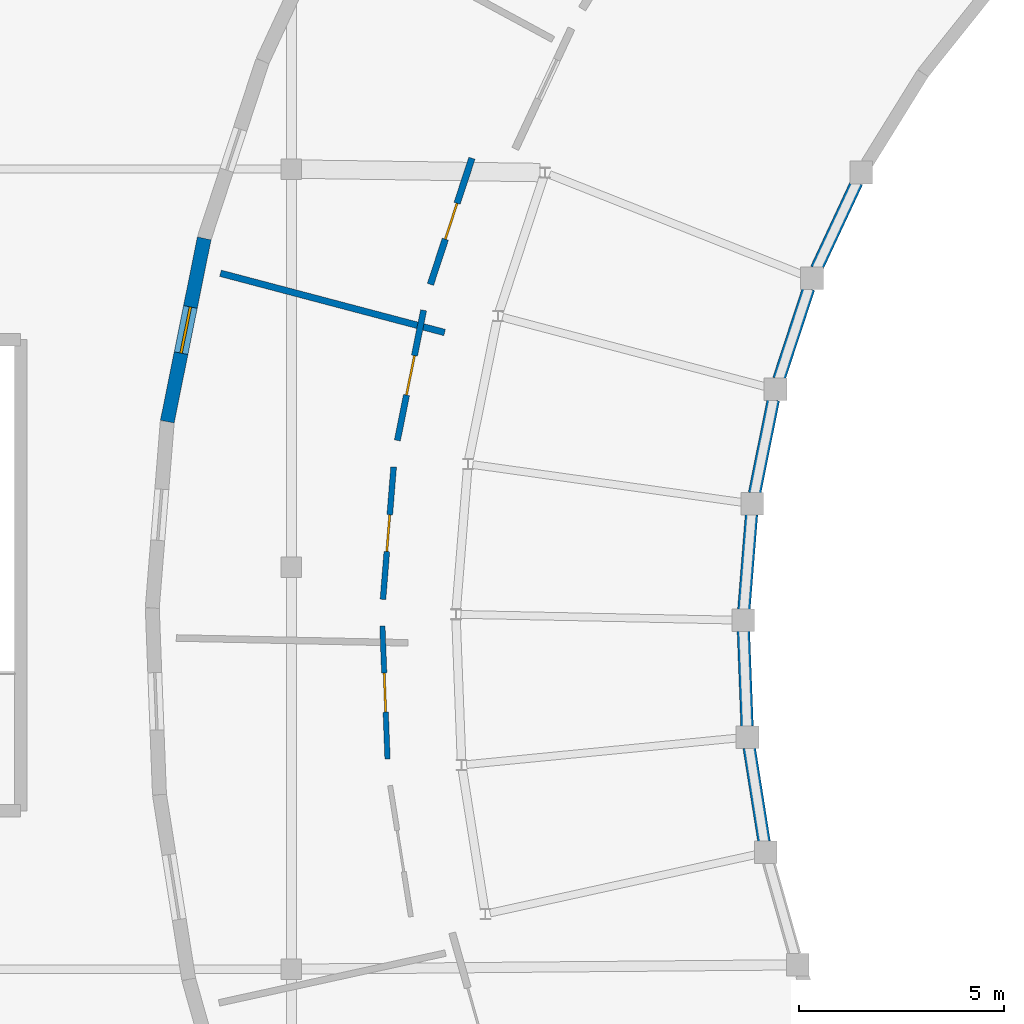
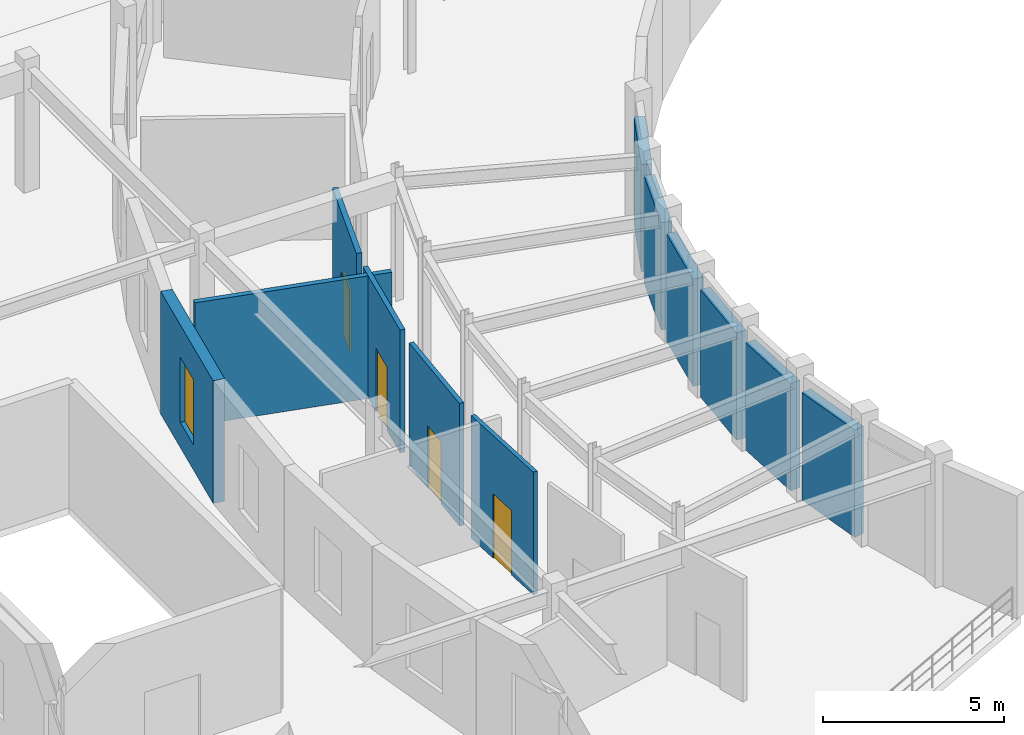
# One storey, part 39 of 60: 12 walls, 4 doors, 1 window, 5 openings.
"""IFC4 building model written with IfcOpenShell, lengths in metres."""

import ifcopenshell
import ifcopenshell.guid

model = None  # the IFC model being written
_history = None  # IfcOwnerHistory: only IFC2X3 demands one
_inside = {}  # id of a spatial element -> (the spatial element, [elements in it])
_under = {}  # id of a project, library or spatial element -> (it, [spatial elements below it])
_declared = {}  # id of a project -> (the project, [libraries it declares])
_typed = {}  # id of a type object -> (the type object, [elements of that type])
_made_of = {}  # id of a material, layer set ... -> (it, [elements and type objects made of it])


def new_model(schema):
    """Start an empty IFC model of exactly this schema.

    Asked for "IFC4X3", IfcOpenShell would pick the latest addendum, in which some entities
    have other attributes; the version numbers below select the first issue.
    IFC2X3 requires an IfcOwnerHistory on every rooted entity: one is made here for all.
    """
    global model, _history
    if schema == "IFC4X3":
        model = ifcopenshell.file(schema_version=(4, 3, 0, 0))
    else:
        model = ifcopenshell.file(schema=schema)
    _inside.clear()
    _under.clear()
    _declared.clear()
    _typed.clear()
    _made_of.clear()
    _history = None
    if model.schema == "IFC2X3":
        org = make("IfcOrganization", Name="unknown")
        user = make(
            "IfcPersonAndOrganization",
            ThePerson=make("IfcPerson", FamilyName="unknown"),
            TheOrganization=org,
        )
        app = make(
            "IfcApplication",
            ApplicationDeveloper=org,
            Version="unknown",
            ApplicationFullName="unknown",
            ApplicationIdentifier="unknown",
        )
        _history = make(
            "IfcOwnerHistory",
            OwningUser=user,
            OwningApplication=app,
            ChangeAction="ADDED",
            CreationDate=0,
        )
    return model


def make(cls, **values):
    """One entity of the class cls with the attributes given. An attribute that is None is left unset."""
    return model.create_entity(
        cls, **{name: value for name, value in values.items() if value is not None}
    )


def rooted(cls, **values):
    """An entity with a GlobalId (a new one), such as an element, a storey or a relation."""
    return make(cls, GlobalId=ifcopenshell.guid.new(), OwnerHistory=_history, **values)


def si_unit(unit_type, name, prefix=None):
    """IfcSIUnit, for example si_unit("LENGTHUNIT", "METRE", prefix="MILLI")."""
    return make("IfcSIUnit", UnitType=unit_type, Prefix=prefix, Name=name)


def assignment(units):
    """IfcUnitAssignment: the units of a project."""
    return None if units is None else make("IfcUnitAssignment", Units=units)


def point(xyz):
    """IfcCartesianPoint."""
    return None if xyz is None else make("IfcCartesianPoint", Coordinates=xyz)


def direction(xyz):
    """IfcDirection."""
    return None if xyz is None else make("IfcDirection", DirectionRatios=xyz)


def frame(location, z_axis=None, x_axis=None):
    """IfcAxis2Placement3D, a coordinate frame: its origin and axes. An axis left out is left unset."""
    return make(
        "IfcAxis2Placement3D",
        Location=point(location),
        Axis=direction(z_axis),
        RefDirection=direction(x_axis),
    )


def frame_2d(location, x_axis=None):
    """IfcAxis2Placement2D, a coordinate frame in the plane: its origin and x axis."""
    return make(
        "IfcAxis2Placement2D", Location=point(location), RefDirection=direction(x_axis)
    )


def origin():
    """The frame at (0, 0, 0) with its axes left unset."""
    return frame((0.0, 0.0, 0.0))


def place(relative_to, where):
    """IfcLocalPlacement: puts the frame where relative to a parent placement (None: the world)."""
    return make(
        "IfcLocalPlacement", PlacementRelTo=relative_to, RelativePlacement=where
    )


def context(
    kind, dimensions, precision=None, world=None, true_north=None, identifier=None
):
    """IfcGeometricRepresentationContext, for example the 3D "Model" context."""
    return make(
        "IfcGeometricRepresentationContext",
        ContextIdentifier=identifier,
        ContextType=kind,
        CoordinateSpaceDimension=dimensions,
        Precision=precision,
        WorldCoordinateSystem=world,
        TrueNorth=true_north,
    )


def subcontext(parent, identifier, kind, view, scale=None):
    """IfcGeometricRepresentationSubContext, for example "Body" below "Model"."""
    return make(
        "IfcGeometricRepresentationSubContext",
        ContextIdentifier=identifier,
        ContextType=kind,
        ParentContext=parent,
        TargetScale=scale,
        TargetView=view,
    )


def project(units=None, contexts=None):
    """IfcProject with its units and contexts."""
    return rooted(
        "IfcProject",
        Name="project",
        RepresentationContexts=contexts,
        UnitsInContext=assignment(units),
    )


def spatial(cls, under=None, at=None, **own):
    """A site, building, storey or space (cls), placed at a placement, below another one or the project."""
    s = rooted(cls, ObjectPlacement=at, **own)
    if under is not None:
        _under.setdefault(under.id(), (under, []))[1].append(s)
    return s


def profile(cls, at=None, kind="AREA", **sizes):
    """A parametric profile (cls). Its sizes go by their IFC names, for example OverallWidth=200.0."""
    return make(cls, ProfileType=kind, Position=at, **sizes)


def rectangle(**sizes):
    """IfcRectangleProfileDef."""
    return profile("IfcRectangleProfileDef", **sizes)


def extrude(swept, where, along, depth):
    """IfcExtrudedAreaSolid: the profile swept, set in the frame where, extruded along a direction by depth."""
    return make(
        "IfcExtrudedAreaSolid",
        SweptArea=swept,
        Position=where,
        ExtrudedDirection=direction(along),
        Depth=depth,
    )


def shape(context_of_items, identifier, shape_type, items):
    """IfcShapeRepresentation: the items that make up one representation, for example the "Body"."""
    return make(
        "IfcShapeRepresentation",
        ContextOfItems=context_of_items,
        RepresentationIdentifier=identifier,
        RepresentationType=shape_type,
        Items=items,
    )


def material(Name=None, Category=None):
    """IfcMaterial."""
    return make("IfcMaterial", Name=Name, Category=Category)


def layer(
    of_material, thickness, ventilated=None, Name=None, Category=None, Priority=None
):
    """IfcMaterialLayer: one layer of a wall or slab, of a material (None: an air gap)."""
    return make(
        "IfcMaterialLayer",
        Material=of_material,
        LayerThickness=thickness,
        IsVentilated=ventilated,
        Name=Name,
        Category=Category,
        Priority=Priority,
    )


def layer_set(layers, Name=None):
    """IfcMaterialLayerSet."""
    return make("IfcMaterialLayerSet", MaterialLayers=layers, LayerSetName=Name)


def made_of(thing, what):
    """Note that an element or type object is made of a material, layer set ...; save() writes the relation."""
    if what is not None:
        _made_of.setdefault(what.id(), (what, []))[1].append(thing)
    return thing


def type_object(cls, material=None, **own):
    """A type object (cls), such as IfcWallType, which elements share."""
    return made_of(rooted(cls, **own), material)


def element(
    cls,
    number,
    at=None,
    inside=None,
    cuts=None,
    type_object=None,
    material=None,
    context=None,
    identifier="Body",
    shape_type=None,
    held_by="IfcProductDefinitionShape",
    body=None,
    shapes=None,
    **own,
):
    """One element of the class cls, such as IfcWall. Its Tag is "e" and its number.

    at: its placement. inside: the storey or other place that contains it. cuts: it is an
    opening in that element (IfcRelVoidsElement). A single representation is given by context,
    identifier, shape_type and body (its items); several are given by shapes. held_by: the class
    of the entity that holds the representations. save() writes the other relations.
    """
    e = rooted(cls, Tag="e%d" % number, ObjectPlacement=at, **own)
    if body is not None:
        shapes = [shape(context, identifier, shape_type, body)]
    if shapes is not None:
        e.Representation = make(held_by, Representations=shapes)
    if inside is not None:
        _inside.setdefault(inside.id(), (inside, []))[1].append(e)
    if cuts is not None:
        rooted(
            "IfcRelVoidsElement", RelatingBuildingElement=cuts, RelatedOpeningElement=e
        )
    if type_object is not None:
        _typed.setdefault(type_object.id(), (type_object, []))[1].append(e)
    return made_of(e, material)


def fill(opening, filler):
    """IfcRelFillsElement: the door or window that sits in an opening."""
    return rooted(
        "IfcRelFillsElement",
        RelatingOpeningElement=opening,
        RelatedBuildingElement=filler,
    )


def aggregate(whole, parts):
    """IfcRelAggregates: a whole, such as a stair, and the parts it consists of."""
    return rooted("IfcRelAggregates", RelatingObject=whole, RelatedObjects=parts)


def save(model, path):
    """Write the relations noted so far, then the file.

    IfcRelAggregates (storeys below a building ...), IfcRelContainedInSpatialStructure (elements
    in a storey), IfcRelDefinesByType, IfcRelAssociatesMaterial and IfcRelDeclares: one each for
    every whole, place, type object, material and project.
    """
    for whole, parts in _under.values():
        aggregate(whole, parts)
    for where, things in _inside.values():
        rooted(
            "IfcRelContainedInSpatialStructure",
            RelatedElements=things,
            RelatingStructure=where,
        )
    for kind, things in _typed.values():
        rooted("IfcRelDefinesByType", RelatedObjects=things, RelatingType=kind)
    for what, things in _made_of.values():
        rooted("IfcRelAssociatesMaterial", RelatedObjects=things, RelatingMaterial=what)
    for by, libraries in _declared.values():
        rooted("IfcRelDeclares", RelatingContext=by, RelatedDefinitions=libraries)
    model.write(path)


model = new_model("IFC4")

# Units and contexts
model_context = context("Model", 3, precision=1e-05, world=origin(), true_north=direction((0.0, 1.0)))
body_context = subcontext(model_context, "Body", "Model", "MODEL_VIEW")
ifc_project = project(units=[si_unit("LENGTHUNIT", "METRE"), si_unit("AREAUNIT", "SQUARE_METRE"), si_unit("VOLUMEUNIT", "CUBIC_METRE"), si_unit("PLANEANGLEUNIT", "RADIAN"), si_unit("MASSUNIT", "GRAM", prefix="KILO")], contexts=[model_context])

# Site, building, storey
site_placement = place(None, origin())
site = spatial("IfcSite", under=ifc_project, at=site_placement, CompositionType="ELEMENT")
building_placement = place(site_placement, origin())
building = spatial("IfcBuilding", under=site, at=building_placement, Name="Cinderbank Siding Concert Hall", CompositionType="ELEMENT")
storey_placement = place(building_placement, frame((0.0, 0.0, 14.699951171875)))
storey = spatial("IfcBuildingStorey", under=building, at=storey_placement, Name="L04", CompositionType="ELEMENT", Elevation=14.699951171875)

# Wall, opening, window
ifc_material_1 = material(Name="Clinker clay brickwork masonry AS 3700 (20 MPa)", Category="masonry")
ifc_layer_1 = layer(ifc_material_1, 0.340087890625)
ifc_layer_set_1 = layer_set([ifc_layer_1], Name="Clinker clay brickwork masonry AS 3700 (20 MPa)")
wall_type_1 = type_object("IfcWallType", Name="WL-07 Exterior Wall 340mm", PredefinedType="STANDARD", material=ifc_layer_set_1)
wall_1_placement = place(storey_placement, frame((18.8740234375, 77.80908203125, 0.0), z_axis=(0.0, 0.0, 1.0), x_axis=(-0.197682700785, -0.980266060726, 0.0)))
wall_1 = element("IfcWall", 1, at=wall_1_placement, inside=storey, type_object=wall_type_1, Name="L04 Facade Wall EW-WOUT-L04-10", PredefinedType="STANDARD", context=body_context, shape_type="SweptSolid", body=[
    extrude(rectangle(XDim=4.5546875, YDim=0.340087890625, at=frame_2d((2.27734375, 0.0))), origin(), (0.0, 0.0, 1.0), 4.14501953125),
])
opening_1_placement = place(wall_1_placement, frame((1.702392578125, 0.0, 0.85009765625)))
opening_1 = element("IfcOpeningElement", 2, at=opening_1_placement, cuts=wall_1, Name="Opening WN-04", PredefinedType="OPENING", context=body_context, shape_type="SweptSolid", body=[
    extrude(rectangle(XDim=1.14990234375, YDim=2.199951171875, at=frame_2d((0.574951171875, 1.10009765625))), frame((0.0, 0.18212890625, 0.0), z_axis=(0.0, -1.0, 0.0), x_axis=(1.0, 0.0, 0.0)), (0.0, 0.0, 1.0), 0.364013671875),
])
ifc_material_2 = material(Name="Double-glazed laminated acoustic glass", Category="glass")
window_type = type_object("IfcWindowType", Name="WN-04 Acoustic Casement Window 1150x2200", PartitioningType="DOUBLE_PANEL_VERTICAL", PredefinedType="WINDOW", material=ifc_material_2)
window_placement = place(opening_1_placement, origin())
window = element("IfcWindow", 3, at=window_placement, inside=storey, type_object=window_type, Name="L04 Facade Window #50", OverallHeight=2.199951171875, OverallWidth=1.14990234375, PartitioningType="DOUBLE_PANEL_VERTICAL", PredefinedType="WINDOW", context=body_context, shape_type="SweptSolid", body=[
    extrude(rectangle(XDim=1.14990234375, YDim=2.199951171875, at=frame_2d((0.574951171875, 1.10009765625))), frame((0.0, 0.030029296875, 0.0), z_axis=(0.0, -1.0, 0.0), x_axis=(1.0, 0.0, 0.0)), (0.0, 0.0, 1.0), 0.06005859375),
])
fill(opening_1, window)

# Walls
ifc_layer_2 = layer(ifc_material_1, 0.31005859375)
ifc_layer_set_2 = layer_set([ifc_layer_2], Name="Clinker clay brickwork masonry AS 3700 (20 MPa)")
wall_type_2 = type_object("IfcWallType", Name="WL-08 Exterior Wall 310mm", PredefinedType="STANDARD", material=ifc_layer_set_2)
wall_2_placement = place(storey_placement, frame((34.778564453125, 79.179443359375, 0.0), z_axis=(0.0, 0.0, 1.0), x_axis=(-0.422535043773, -0.906346587561, 0.0)))
element("IfcWall", 4, at=wall_2_placement, inside=storey, type_object=wall_type_2, Name="L04 Facade Wall EW-WIN-L04-08", PredefinedType="STANDARD", context=body_context, shape_type="SweptSolid", body=[
    extrude(rectangle(XDim=2.326904296875, YDim=0.31005859375, at=frame_2d((1.16357421875, 0.0))), origin(), (0.0, 0.0, 1.0), 3.626953125),
])
wall_3_placement = place(storey_placement, frame((33.604248046875, 76.587890625, 0.0), z_axis=(0.0, 0.0, 1.0), x_axis=(-0.312384638045, -0.949955703132, 0.0)))
element("IfcWall", 5, at=wall_3_placement, inside=storey, type_object=wall_type_2, Name="L04 Facade Wall EW-WIN-L04-09", PredefinedType="STANDARD", context=body_context, shape_type="SweptSolid", body=[
    extrude(rectangle(XDim=2.32666015625, YDim=0.31005859375, at=frame_2d((1.163330078125, 0.0))), origin(), (0.0, 0.0, 1.0), 3.626953125),
])
wall_4_placement = place(storey_placement, frame((32.744873046875, 73.875732421875, 0.0), z_axis=(0.0, 0.0, 1.0), x_axis=(-0.197710182679, -0.980260518263, 0.0)))
element("IfcWall", 6, at=wall_4_placement, inside=storey, type_object=wall_type_2, Name="L04 Facade Wall EW-WIN-L04-10", PredefinedType="STANDARD", context=body_context, shape_type="SweptSolid", body=[
    extrude(rectangle(XDim=2.326416015625, YDim=0.31005859375, at=frame_2d((1.1630859375, 0.0))), origin(), (0.0, 0.0, 1.0), 3.626953125),
])
for number, where, z_axis, x_axis, name in (
    (7, (32.212646484375, 71.0810546875, 0.0), (0.0, 0.0, 1.0), (-0.080162243933, -0.996781829012, 0.0), "L04 Facade Wall EW-WIN-L04-11"),
    (8, (32.015380859375, 68.242919921875, 0.0), (0.0, 0.0, 1.0), (0.038296120181, -0.99926643453, 0.0), "L04 Facade Wall EW-WIN-L04-12"),
):
    element("IfcWall", number, at=place(storey_placement, frame(where, z_axis=z_axis, x_axis=x_axis)), inside=storey, type_object=wall_type_2, Name=name, PredefinedType="STANDARD", context=body_context, shape_type="SweptSolid", body=[
        extrude(rectangle(XDim=2.326904296875, YDim=0.31005859375, at=frame_2d((1.16357421875, 0.0))), origin(), (0.0, 0.0, 1.0), 3.626953125),
    ])
wall_5_placement = place(storey_placement, frame((32.1552734375, 65.401123046875, 0.0), z_axis=(0.0, 0.0, 1.0), x_axis=(0.156463706933, -0.987683708691, 0.0)))
element("IfcWall", 9, at=wall_5_placement, inside=storey, type_object=wall_type_2, Name="L04 Facade Wall EW-WIN-L04-13", PredefinedType="STANDARD", context=body_context, shape_type="SweptSolid", body=[
    extrude(rectangle(XDim=2.326416015625, YDim=0.31005859375, at=frame_2d((1.1630859375, 0.0))), origin(), (0.0, 0.0, 1.0), 3.626953125),
])
ifc_material_3 = material(Name="Acoustic plasterboard on light-gauge steel studs", Category="gypsum")
ifc_layer_3 = layer(ifc_material_3, 0.159912109375)
ifc_layer_set_3 = layer_set([ifc_layer_3], Name="Acoustic plasterboard on light-gauge steel studs")
wall_type_3 = type_object("IfcWallType", Name="WL-14 Interior Wall 160mm", PredefinedType="PARTITIONING", material=ifc_layer_set_3)
wall_6_placement = place(storey_placement, frame((24.732666015625, 75.516357421875, 0.0), z_axis=(0.0, 0.0, 1.0), x_axis=(-0.966817687277, 0.255467335621, 0.0)))
element("IfcWall", 10, at=wall_6_placement, inside=storey, type_object=wall_type_3, Name="L04 Radial Studio Demising Wall W10", PredefinedType="PARTITIONING", context=body_context, shape_type="SweptSolid", body=[
    extrude(rectangle(XDim=5.64990234375, YDim=0.159912109375, at=frame_2d((2.824951171875, 0.0))), origin(), (0.0, 0.0, 1.0), 4.14501953125),
])

# Wall, opening, door
wall_7_placement = place(storey_placement, frame((25.398193359375, 79.76513671875, 0.0), z_axis=(0.0, 0.0, 1.0), x_axis=(-0.312310818937, -0.949979974723, 0.0)))
wall_7 = element("IfcWall", 11, at=wall_7_placement, inside=storey, type_object=wall_type_3, Name="L04 Partition Studio Bay W09", PredefinedType="PARTITIONING", context=body_context, shape_type="SweptSolid", body=[
    extrude(rectangle(XDim=3.237060546875, YDim=0.159912109375, at=frame_2d((1.61865234375, 0.0))), origin(), (0.0, 0.0, 1.0), 4.14501953125),
])
opening_2_placement = place(wall_7_placement, frame((1.158447265625, 0.0, 0.0)))
opening_2 = element("IfcOpeningElement", 12, at=opening_2_placement, cuts=wall_7, Name="Opening D-09", PredefinedType="OPENING", context=body_context, shape_type="SweptSolid", body=[
    extrude(rectangle(XDim=0.919921875, YDim=2.10009765625, at=frame_2d((0.4599609375, 1.050048828125))), frame((0.0, 0.091796875, 0.0), z_axis=(0.0, -1.0, 0.0), x_axis=(1.0, 0.0, 0.0)), (0.0, 0.0, 1.0), 0.183837890625),
])
ifc_material_4 = material(Name="Solid-core spotted gum acoustic timber", Category="wood")
door_type_1 = type_object("IfcDoorType", Name="D-09 Interior Door 920x2100", OperationType="NOTDEFINED", PredefinedType="DOOR", material=ifc_material_4)
door_1_placement = place(opening_2_placement, origin())
door_1 = element("IfcDoor", 13, at=door_1_placement, inside=storey, type_object=door_type_1, Name="L04 Studio Bay W09 Door L04-D229", OperationType="SINGLE_SWING_RIGHT", OverallHeight=2.10009765625, OverallWidth=0.919921875, PredefinedType="DOOR", context=body_context, shape_type="SweptSolid", body=[
    extrude(rectangle(XDim=0.919921875, YDim=2.10009765625, at=frame_2d((0.4599609375, 1.050048828125))), frame((0.0, 0.02490234375, 0.0), z_axis=(0.0, -1.0, 0.0), x_axis=(1.0, 0.0, 0.0)), (0.0, 0.0, 1.0), 0.050048828125),
])
fill(opening_2, door_1)

ifc_layer_4 = layer(ifc_material_3, 0.14990234375)
ifc_layer_set_4 = layer_set([ifc_layer_4], Name="Acoustic plasterboard on light-gauge steel studs")
wall_type_4 = type_object("IfcWallType", Name="WL-15 Interior Wall 150mm", PredefinedType="PARTITIONING", material=ifc_layer_set_4)
wall_8_placement = place(storey_placement, frame((24.220458984375, 76.058837890625, 0.0), z_axis=(0.0, 0.0, 1.0), x_axis=(-0.197609875313, -0.980280744062, 0.0)))
wall_8 = element("IfcWall", 14, at=wall_8_placement, inside=storey, type_object=wall_type_4, Name="L04 Partition Studio Bay W10", PredefinedType="PARTITIONING", context=body_context, shape_type="SweptSolid", body=[
    extrude(rectangle(XDim=3.23681640625, YDim=0.14990234375, at=frame_2d((1.618408203125, 0.0))), origin(), (0.0, 0.0, 1.0), 4.14501953125),
])
opening_3_placement = place(wall_8_placement, frame((1.12841796875, 0.0, 0.0)))
opening_3 = element("IfcOpeningElement", 15, at=opening_3_placement, cuts=wall_8, Name="Opening D-10", PredefinedType="OPENING", context=body_context, shape_type="SweptSolid", body=[
    extrude(rectangle(XDim=0.97998046875, YDim=2.14990234375, at=frame_2d((0.489990234375, 1.074951171875))), frame((0.0, 0.0869140625, 0.0), z_axis=(0.0, -1.0, 0.0), x_axis=(1.0, 0.0, 0.0)), (0.0, 0.0, 1.0), 0.173828125),
])
door_type_2 = type_object("IfcDoorType", Name="D-10 Interior Door 980x2150", OperationType="NOTDEFINED", PredefinedType="DOOR", material=ifc_material_4)
door_2_placement = place(opening_3_placement, origin())
door_2 = element("IfcDoor", 16, at=door_2_placement, inside=storey, type_object=door_type_2, Name="L04 Studio Bay W10 Door L04-D230", OperationType="SINGLE_SWING_LEFT", OverallHeight=2.14990234375, OverallWidth=0.97998046875, PredefinedType="DOOR", context=body_context, shape_type="SweptSolid", body=[
    extrude(rectangle(XDim=0.97998046875, YDim=2.14990234375, at=frame_2d((0.489990234375, 1.074951171875))), frame((0.0, 0.02490234375, 0.0), z_axis=(0.0, -1.0, 0.0), x_axis=(1.0, 0.0, 0.0)), (0.0, 0.0, 1.0), 0.050048828125),
])
fill(opening_3, door_2)

ifc_layer_5 = layer(ifc_material_3, 0.139892578125)
ifc_layer_set_5 = layer_set([ifc_layer_5], Name="Acoustic plasterboard on light-gauge steel studs")
wall_type_5 = type_object("IfcWallType", Name="WL-16 Interior Wall 140mm", PredefinedType="PARTITIONING", material=ifc_layer_set_5)
wall_9_placement = place(storey_placement, frame((23.489990234375, 72.239501953125, 0.0), z_axis=(0.0, 0.0, 1.0), x_axis=(-0.080248823667, -0.996774862394, 0.0)))
wall_9 = element("IfcWall", 17, at=wall_9_placement, inside=storey, type_object=wall_type_5, Name="L04 Partition Studio Bay W11", PredefinedType="PARTITIONING", context=body_context, shape_type="SweptSolid", body=[
    extrude(rectangle(XDim=3.237060546875, YDim=0.139892578125, at=frame_2d((1.61865234375, 0.0))), origin(), (0.0, 0.0, 1.0), 4.14501953125),
])
opening_4_placement = place(wall_9_placement, frame((1.16845703125, 0.0, 0.0)))
opening_4 = element("IfcOpeningElement", 18, at=opening_4_placement, cuts=wall_9, Name="Opening D-15", PredefinedType="OPENING", context=body_context, shape_type="SweptSolid", body=[
    extrude(rectangle(XDim=0.89990234375, YDim=2.10009765625, at=frame_2d((0.449951171875, 1.050048828125))), frame((0.0, 0.08203125, 0.0), z_axis=(0.0, -1.0, 0.0), x_axis=(1.0, 0.0, 0.0)), (0.0, 0.0, 1.0), 0.163818359375),
])
door_type_3 = type_object("IfcDoorType", Name="D-15 Interior Door 900x2100", OperationType="NOTDEFINED", PredefinedType="DOOR", material=ifc_material_4)
door_3_placement = place(opening_4_placement, origin())
door_3 = element("IfcDoor", 19, at=door_3_placement, inside=storey, type_object=door_type_3, Name="L04 Studio Bay W11 Door L04-D231", OperationType="SINGLE_SWING_RIGHT", OverallHeight=2.10009765625, OverallWidth=0.89990234375, PredefinedType="DOOR", context=body_context, shape_type="SweptSolid", body=[
    extrude(rectangle(XDim=0.89990234375, YDim=2.10009765625, at=frame_2d((0.449951171875, 1.050048828125))), frame((0.0, 0.02490234375, 0.0), z_axis=(0.0, -1.0, 0.0), x_axis=(1.0, 0.0, 0.0)), (0.0, 0.0, 1.0), 0.050048828125),
])
fill(opening_4, door_3)

ifc_layer_6 = layer(ifc_material_3, 0.1298828125)
ifc_layer_set_6 = layer_set([ifc_layer_6], Name="Acoustic plasterboard on light-gauge steel studs")
wall_type_6 = type_object("IfcWallType", Name="WL-17 Interior Wall 130mm", PredefinedType="PARTITIONING", material=ifc_layer_set_6)
wall_10_placement = place(storey_placement, frame((23.216552734375, 68.3603515625, 0.0), z_axis=(0.0, 0.0, 1.0), x_axis=(0.038386780722, -0.999262955916, 0.0)))
wall_10 = element("IfcWall", 20, at=wall_10_placement, inside=storey, type_object=wall_type_6, Name="L04 Partition Studio Bay W12", PredefinedType="PARTITIONING", context=body_context, shape_type="SweptSolid", body=[
    extrude(rectangle(XDim=3.2373046875, YDim=0.1298828125, at=frame_2d((1.61865234375, 0.0))), origin(), (0.0, 0.0, 1.0), 4.14501953125),
])
opening_5_placement = place(wall_10_placement, frame((1.138427734375, 0.0, 0.0)))
opening_5 = element("IfcOpeningElement", 21, at=opening_5_placement, cuts=wall_10, Name="Opening D-16", PredefinedType="OPENING", context=body_context, shape_type="SweptSolid", body=[
    extrude(rectangle(XDim=0.9599609375, YDim=2.179931640625, at=frame_2d((0.47998046875, 1.08984375))), frame((0.0, 0.076904296875, 0.0), z_axis=(0.0, -1.0, 0.0), x_axis=(1.0, 0.0, 0.0)), (0.0, 0.0, 1.0), 0.15380859375),
])
door_type_4 = type_object("IfcDoorType", Name="D-16 Interior Door 960x2180", OperationType="NOTDEFINED", PredefinedType="DOOR", material=ifc_material_4)
door_4_placement = place(opening_5_placement, origin())
door_4 = element("IfcDoor", 22, at=door_4_placement, inside=storey, type_object=door_type_4, Name="L04 Studio Bay W12 Door L04-D232", OperationType="SINGLE_SWING_LEFT", OverallHeight=2.179931640625, OverallWidth=0.9599609375, PredefinedType="DOOR", context=body_context, shape_type="SweptSolid", body=[
    extrude(rectangle(XDim=0.9599609375, YDim=2.179931640625, at=frame_2d((0.47998046875, 1.08984375))), frame((0.0, 0.02490234375, 0.0), z_axis=(0.0, -1.0, 0.0), x_axis=(1.0, 0.0, 0.0)), (0.0, 0.0, 1.0), 0.050048828125),
])
fill(opening_5, door_4)

save(model, "model.ifc")
